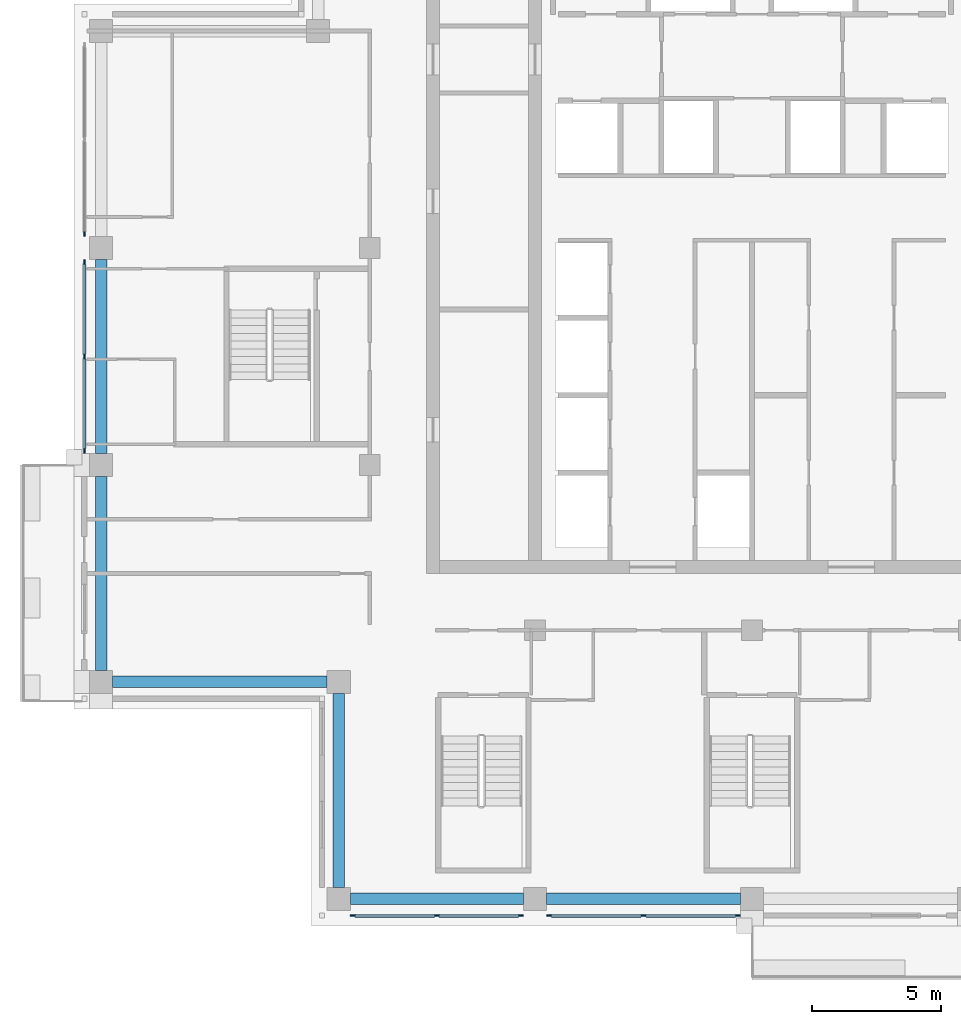
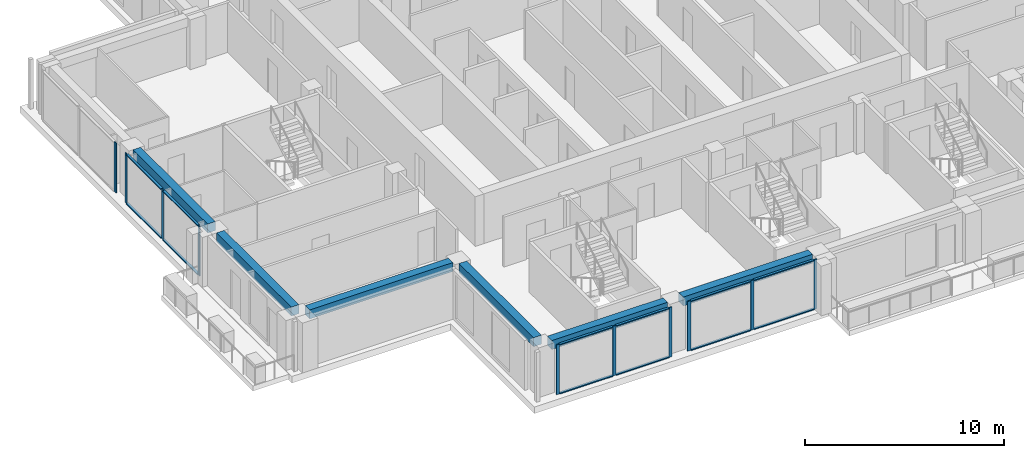
# One storey, part 2 of 17: 22 members, 6 beams, 4 elements without a shape of their own.
"""IFC4 building model written with IfcOpenShell, lengths in metres."""

from ifc_helpers import new_model, si_unit, direction, frame, origin, origin_2d, place, context, subcontext, project, spatial, rectangle, extrude, material, material_profile, profile_set, type_object, element, aggregate, save


model = new_model("IFC4")

# Units and contexts
model_context = context("Model", 3, precision=1e-05, world=origin(), true_north=direction((0.0, 1.0)))
body_context = subcontext(model_context, "Body", "Model", "MODEL_VIEW")
ifc_project = project(units=[si_unit("LENGTHUNIT", "METRE"), si_unit("AREAUNIT", "SQUARE_METRE"), si_unit("VOLUMEUNIT", "CUBIC_METRE"), si_unit("PLANEANGLEUNIT", "RADIAN"), si_unit("MASSUNIT", "GRAM", prefix="KILO")], contexts=[model_context])

# Site, building, storey
site_placement = place(None, origin())
site = spatial("IfcSite", under=ifc_project, at=site_placement, CompositionType="ELEMENT")
building_placement = place(site_placement, origin())
building = spatial("IfcBuilding", under=site, at=building_placement, Name="Vermilion Ogive Tower", CompositionType="ELEMENT")
storey_placement = place(building_placement, frame((0.0, 0.0, 257.949951171875)))
storey = spatial("IfcBuildingStorey", under=building, at=storey_placement, Name="L68", CompositionType="ELEMENT", Elevation=257.949951171875)

# Curtain wall, members
ifc_material_1 = material(Name="Low-iron laminated glazing in aluminium frame", Category="aluminium")
curtain_wall_type = type_object("IfcCurtainWallType", Name="Curtain wall CW7", PredefinedType="NOTDEFINED", material=ifc_material_1)
curtain_wall_1_placement = place(storey_placement, origin())
curtain_wall_1 = element("IfcCurtainWall", 1, at=curtain_wall_1_placement, inside=storey, type_object=curtain_wall_type, Name="Glazed skin S1", PredefinedType="NOTDEFINED")
ifc_material_2 = material(Name="Aluminium mullion", Category="aluminium")
ifc_material_profile_1 = material_profile(ifc_material_2, rectangle(XDim=0.06005859375, YDim=0.179931640625, at=origin_2d()), Name="AL 60x180")
ifc_profile_set_1 = profile_set([ifc_material_profile_1], Name="Aluminium mullion")
member_type_1 = type_object("IfcMemberType", Name="CW7 mullion 60x180", PredefinedType="MULLION", material=ifc_profile_set_1)
member_1_placement = place(storey_placement, frame((-15.4599609375, -21.64990234375, 0.0), z_axis=(0.0, 0.0, 1.0), x_axis=(0.0, 1.0, 0.0)))
member_1 = element("IfcMember", 2, at=member_1_placement, type_object=member_type_1, Name="CW7-S1 mullion 1", PredefinedType="MULLION", context=body_context, shape_type="SweptSolid", body=[
    extrude(rectangle(XDim=0.06005859375, YDim=0.179931640625, at=origin_2d()), origin(), (0.0, 0.0, 1.0), 3.050048828125),
])
member_2_placement = place(storey_placement, frame((-12.199951171875, -21.64990234375, 0.0), z_axis=(0.0, 0.0, 1.0), x_axis=(0.0, 1.0, 0.0)))
member_2 = element("IfcMember", 3, at=member_2_placement, type_object=member_type_1, Name="CW7-S1 mullion 2", PredefinedType="MULLION", context=body_context, shape_type="SweptSolid", body=[
    extrude(rectangle(XDim=0.06005859375, YDim=0.179931640625, at=origin_2d()), origin(), (0.0, 0.0, 1.0), 3.050048828125),
])
member_3_placement = place(storey_placement, frame((-8.93994140625, -21.64990234375, 0.0), z_axis=(0.0, 0.0, 1.0), x_axis=(0.0, 1.0, 0.0)))
member_3 = element("IfcMember", 4, at=member_3_placement, type_object=member_type_1, Name="CW7-S1 mullion 3", PredefinedType="MULLION", context=body_context, shape_type="SweptSolid", body=[
    extrude(rectangle(XDim=0.06005859375, YDim=0.179931640625, at=origin_2d()), origin(), (0.0, 0.0, 1.0), 3.050048828125),
])

curtain_wall_2_placement = place(storey_placement, origin())
curtain_wall_2 = element("IfcCurtainWall", 5, at=curtain_wall_2_placement, inside=storey, type_object=curtain_wall_type, Name="Glazed skin S2", PredefinedType="NOTDEFINED")
member_4_placement = place(storey_placement, frame((-7.860107421875, -21.64990234375, 0.0), z_axis=(0.0, 0.0, 1.0), x_axis=(0.0, 1.0, 0.0)))
member_4 = element("IfcMember", 6, at=member_4_placement, type_object=member_type_1, Name="CW7-S2 mullion 1", PredefinedType="MULLION", context=body_context, shape_type="SweptSolid", body=[
    extrude(rectangle(XDim=0.06005859375, YDim=0.179931640625, at=origin_2d()), origin(), (0.0, 0.0, 1.0), 3.050048828125),
])
member_5_placement = place(storey_placement, frame((-4.199951171875, -21.64990234375, 0.0), z_axis=(0.0, 0.0, 1.0), x_axis=(0.0, 1.0, 0.0)))
member_5 = element("IfcMember", 7, at=member_5_placement, type_object=member_type_1, Name="CW7-S2 mullion 2", PredefinedType="MULLION", context=body_context, shape_type="SweptSolid", body=[
    extrude(rectangle(XDim=0.06005859375, YDim=0.179931640625, at=origin_2d()), origin(), (0.0, 0.0, 1.0), 3.050048828125),
])
member_6_placement = place(storey_placement, frame((-0.5400390625, -21.64990234375, 0.0), z_axis=(0.0, 0.0, 1.0), x_axis=(0.0, 1.0, 0.0)))
member_6 = element("IfcMember", 8, at=member_6_placement, type_object=member_type_1, Name="CW7-S2 mullion 3", PredefinedType="MULLION", context=body_context, shape_type="SweptSolid", body=[
    extrude(rectangle(XDim=0.06005859375, YDim=0.179931640625, at=origin_2d()), origin(), (0.0, 0.0, 1.0), 3.050048828125),
])

# Curtain wall, member
curtain_wall_3_placement = place(storey_placement, origin())
curtain_wall_3 = element("IfcCurtainWall", 9, at=curtain_wall_3_placement, inside=storey, type_object=curtain_wall_type, Name="Glazed skin W1", PredefinedType="NOTDEFINED")
member_7_placement = place(storey_placement, frame((-25.85009765625, 4.739990234375, 0.0), z_axis=(0.0, 0.0, 1.0), x_axis=(1.0, 0.0, 0.0)))
member_7 = element("IfcMember", 10, at=member_7_placement, type_object=member_type_1, Name="CW7-W1 mullion 3", PredefinedType="MULLION", context=body_context, shape_type="SweptSolid", body=[
    extrude(rectangle(XDim=0.06005859375, YDim=0.179931640625, at=origin_2d()), origin(), (0.0, 0.0, 1.0), 3.050048828125),
])
aggregate(curtain_wall_3, [member_7])

# Curtain wall, members
curtain_wall_4_placement = place(storey_placement, origin())
curtain_wall_4 = element("IfcCurtainWall", 11, at=curtain_wall_4_placement, inside=storey, type_object=curtain_wall_type, Name="Glazed skin W2", PredefinedType="NOTDEFINED")
member_8_placement = place(storey_placement, frame((-25.85009765625, 3.659912109375, 0.0), z_axis=(0.0, 0.0, 1.0), x_axis=(1.0, 0.0, 0.0)))
member_8 = element("IfcMember", 12, at=member_8_placement, type_object=member_type_1, Name="CW7-W2 mullion 1", PredefinedType="MULLION", context=body_context, shape_type="SweptSolid", body=[
    extrude(rectangle(XDim=0.06005859375, YDim=0.179931640625, at=origin_2d()), origin(), (0.0, 0.0, 1.0), 3.050048828125),
])
member_9_placement = place(storey_placement, frame((-25.85009765625, 0.0, 0.0), z_axis=(0.0, 0.0, 1.0), x_axis=(1.0, 0.0, 0.0)))
member_9 = element("IfcMember", 13, at=member_9_placement, type_object=member_type_1, Name="CW7-W2 mullion 2", PredefinedType="MULLION", context=body_context, shape_type="SweptSolid", body=[
    extrude(rectangle(XDim=0.06005859375, YDim=0.179931640625, at=origin_2d()), origin(), (0.0, 0.0, 1.0), 3.050048828125),
])
member_10_placement = place(storey_placement, frame((-25.85009765625, -3.659912109375, 0.0), z_axis=(0.0, 0.0, 1.0), x_axis=(1.0, 0.0, 0.0)))
member_10 = element("IfcMember", 14, at=member_10_placement, type_object=member_type_1, Name="CW7-W2 mullion 3", PredefinedType="MULLION", context=body_context, shape_type="SweptSolid", body=[
    extrude(rectangle(XDim=0.06005859375, YDim=0.179931640625, at=origin_2d()), origin(), (0.0, 0.0, 1.0), 3.050048828125),
])

# Member
ifc_material_3 = material(Name="Aluminium transom", Category="aluminium")
ifc_material_profile_2 = material_profile(ifc_material_3, rectangle(XDim=0.139892578125, YDim=0.06005859375, at=origin_2d()), Name="AL 60x140")
ifc_profile_set_2 = profile_set([ifc_material_profile_2], Name="Aluminium transom")
member_type_2 = type_object("IfcMemberType", Name="CW7 transom 60x140", PredefinedType="USERDEFINED", material=ifc_profile_set_2)
member_11_placement = place(storey_placement, frame((-15.3701171875, -21.64990234375, 0.030029296875), z_axis=(1.0, 0.0, 0.0), x_axis=(0.0, 1.0, 0.0)))
member_11 = element("IfcMember", 15, at=member_11_placement, type_object=member_type_2, Name="CW7-S1 transom 1.1", ObjectType="TRANSOM", PredefinedType="USERDEFINED", context=body_context, shape_type="SweptSolid", body=[
    extrude(rectangle(XDim=0.139892578125, YDim=0.06005859375, at=origin_2d()), origin(), (0.0, 0.0, 1.0), 3.080078125),
])

member_12_placement = place(storey_placement, frame((-15.3701171875, -21.64990234375, 3.02001953125), z_axis=(1.0, 0.0, 0.0), x_axis=(0.0, 1.0, 0.0)))
member_12 = element("IfcMember", 16, at=member_12_placement, type_object=member_type_2, Name="CW7-S1 transom 1.2", ObjectType="TRANSOM", PredefinedType="USERDEFINED", context=body_context, shape_type="SweptSolid", body=[
    extrude(rectangle(XDim=0.139892578125, YDim=0.06005859375, at=origin_2d()), origin(), (0.0, 0.0, 1.0), 3.080078125),
])

member_13_placement = place(storey_placement, frame((-12.110107421875, -21.64990234375, 0.030029296875), z_axis=(1.0, 0.0, 0.0), x_axis=(0.0, 1.0, 0.0)))
member_13 = element("IfcMember", 17, at=member_13_placement, type_object=member_type_2, Name="CW7-S1 transom 2.1", ObjectType="TRANSOM", PredefinedType="USERDEFINED", context=body_context, shape_type="SweptSolid", body=[
    extrude(rectangle(XDim=0.139892578125, YDim=0.06005859375, at=origin_2d()), origin(), (0.0, 0.0, 1.0), 3.080078125),
])

member_14_placement = place(storey_placement, frame((-12.110107421875, -21.64990234375, 3.02001953125), z_axis=(1.0, 0.0, 0.0), x_axis=(0.0, 1.0, 0.0)))
member_14 = element("IfcMember", 18, at=member_14_placement, type_object=member_type_2, Name="CW7-S1 transom 2.2", ObjectType="TRANSOM", PredefinedType="USERDEFINED", context=body_context, shape_type="SweptSolid", body=[
    extrude(rectangle(XDim=0.139892578125, YDim=0.06005859375, at=origin_2d()), origin(), (0.0, 0.0, 1.0), 3.080078125),
])

aggregate(curtain_wall_1, [member_1, member_2, member_3, member_11, member_12, member_13, member_14])

member_15_placement = place(storey_placement, frame((-7.77001953125, -21.64990234375, 0.030029296875), z_axis=(1.0, 0.0, 0.0), x_axis=(0.0, 1.0, 0.0)))
member_15 = element("IfcMember", 19, at=member_15_placement, type_object=member_type_2, Name="CW7-S2 transom 1.1", ObjectType="TRANSOM", PredefinedType="USERDEFINED", context=body_context, shape_type="SweptSolid", body=[
    extrude(rectangle(XDim=0.139892578125, YDim=0.06005859375, at=origin_2d()), origin(), (0.0, 0.0, 1.0), 3.47998046875),
])

member_16_placement = place(storey_placement, frame((-7.77001953125, -21.64990234375, 3.02001953125), z_axis=(1.0, 0.0, 0.0), x_axis=(0.0, 1.0, 0.0)))
member_16 = element("IfcMember", 20, at=member_16_placement, type_object=member_type_2, Name="CW7-S2 transom 1.2", ObjectType="TRANSOM", PredefinedType="USERDEFINED", context=body_context, shape_type="SweptSolid", body=[
    extrude(rectangle(XDim=0.139892578125, YDim=0.06005859375, at=origin_2d()), origin(), (0.0, 0.0, 1.0), 3.47998046875),
])

member_17_placement = place(storey_placement, frame((-4.110107421875, -21.64990234375, 0.030029296875), z_axis=(1.0, 0.0, 0.0), x_axis=(0.0, 1.0, 0.0)))
member_17 = element("IfcMember", 21, at=member_17_placement, type_object=member_type_2, Name="CW7-S2 transom 2.1", ObjectType="TRANSOM", PredefinedType="USERDEFINED", context=body_context, shape_type="SweptSolid", body=[
    extrude(rectangle(XDim=0.139892578125, YDim=0.06005859375, at=origin_2d()), origin(), (0.0, 0.0, 1.0), 3.480224609375),
])

member_18_placement = place(storey_placement, frame((-4.110107421875, -21.64990234375, 3.02001953125), z_axis=(1.0, 0.0, 0.0), x_axis=(0.0, 1.0, 0.0)))
member_18 = element("IfcMember", 22, at=member_18_placement, type_object=member_type_2, Name="CW7-S2 transom 2.2", ObjectType="TRANSOM", PredefinedType="USERDEFINED", context=body_context, shape_type="SweptSolid", body=[
    extrude(rectangle(XDim=0.139892578125, YDim=0.06005859375, at=origin_2d()), origin(), (0.0, 0.0, 1.0), 3.480224609375),
])

aggregate(curtain_wall_2, [member_4, member_5, member_6, member_15, member_16, member_17, member_18])

member_19_placement = place(storey_placement, frame((-25.85009765625, 3.570068359375, 0.030029296875), z_axis=(0.0, -1.0, 0.0), x_axis=(1.0, 0.0, 0.0)))
member_19 = element("IfcMember", 23, at=member_19_placement, type_object=member_type_2, Name="CW7-W2 transom 1.1", ObjectType="TRANSOM", PredefinedType="USERDEFINED", context=body_context, shape_type="SweptSolid", body=[
    extrude(rectangle(XDim=0.139892578125, YDim=0.06005859375, at=origin_2d()), origin(), (0.0, 0.0, 1.0), 3.47998046875),
])

member_20_placement = place(storey_placement, frame((-25.85009765625, 3.570068359375, 3.02001953125), z_axis=(0.0, -1.0, 0.0), x_axis=(1.0, 0.0, 0.0)))
member_20 = element("IfcMember", 24, at=member_20_placement, type_object=member_type_2, Name="CW7-W2 transom 1.2", ObjectType="TRANSOM", PredefinedType="USERDEFINED", context=body_context, shape_type="SweptSolid", body=[
    extrude(rectangle(XDim=0.139892578125, YDim=0.06005859375, at=origin_2d()), origin(), (0.0, 0.0, 1.0), 3.47998046875),
])

member_21_placement = place(storey_placement, frame((-25.85009765625, -0.090087890625, 0.030029296875), z_axis=(0.0, -1.0, 0.0), x_axis=(1.0, 0.0, 0.0)))
member_21 = element("IfcMember", 25, at=member_21_placement, type_object=member_type_2, Name="CW7-W2 transom 2.1", ObjectType="TRANSOM", PredefinedType="USERDEFINED", context=body_context, shape_type="SweptSolid", body=[
    extrude(rectangle(XDim=0.139892578125, YDim=0.06005859375, at=origin_2d()), origin(), (0.0, 0.0, 1.0), 3.47998046875),
])

member_22_placement = place(storey_placement, frame((-25.85009765625, -0.090087890625, 3.02001953125), z_axis=(0.0, -1.0, 0.0), x_axis=(1.0, 0.0, 0.0)))
member_22 = element("IfcMember", 26, at=member_22_placement, type_object=member_type_2, Name="CW7-W2 transom 2.2", ObjectType="TRANSOM", PredefinedType="USERDEFINED", context=body_context, shape_type="SweptSolid", body=[
    extrude(rectangle(XDim=0.139892578125, YDim=0.06005859375, at=origin_2d()), origin(), (0.0, 0.0, 1.0), 3.47998046875),
])

aggregate(curtain_wall_4, [member_8, member_9, member_10, member_19, member_20, member_21, member_22])

# Beams
ifc_material_4 = material(Name="Concrete B45", Category="concrete")
ifc_material_profile_3 = material_profile(ifc_material_4, rectangle(XDim=0.449951171875, YDim=0.550048828125, at=origin_2d()), Name="450 x 550")
ifc_profile_set_3 = profile_set([ifc_material_profile_3], Name="Concrete B45")
beam_type = type_object("IfcBeamType", Name="Edge beam 450 x 550 B45", PredefinedType="BEAM", material=ifc_profile_set_3)
beam_1_placement = place(storey_placement, frame((-15.550048828125, -21.0, 2.775146484375), z_axis=(1.0, 0.0, 0.0), x_axis=(0.0, 1.0, 0.0)))
element("IfcBeam", 27, at=beam_1_placement, inside=storey, type_object=beam_type, Name="L68-EB-1", PredefinedType="BEAM", context=body_context, shape_type="SweptSolid", body=[
    extrude(rectangle(XDim=0.449951171875, YDim=0.550048828125, at=origin_2d()), origin(), (0.0, 0.0, 1.0), 6.699951171875),
])
for number, where, z_axis, x_axis, name in (
    (28, (-7.949951171875, -21.0, 2.775146484375), (1.0, 0.0, 0.0), (0.0, 1.0, 0.0), "L68-EB-2"),
    (29, (-25.199951171875, 3.75, 2.775146484375), (0.0, -1.0, 0.0), (1.0, 0.0, 0.0), "L68-EB-15"),
    (30, (-25.199951171875, -4.64990234375, 2.775146484375), (0.0, -1.0, 0.0), (1.0, 0.0, 0.0), "L68-EB-16"),
):
    element("IfcBeam", number, at=place(storey_placement, frame(where, z_axis=z_axis, x_axis=x_axis)), inside=storey, type_object=beam_type, Name=name, PredefinedType="BEAM", context=body_context, shape_type="SweptSolid", body=[
        extrude(rectangle(XDim=0.449951171875, YDim=0.550048828125, at=origin_2d()), origin(), (0.0, 0.0, 1.0), 7.5),
    ])
beam_2_placement = place(storey_placement, frame((-24.75, -12.60009765625, 2.775146484375), z_axis=(1.0, 0.0, 0.0), x_axis=(0.0, 1.0, 0.0)))
element("IfcBeam", 31, at=beam_2_placement, inside=storey, type_object=beam_type, Name="L68-EB-17", PredefinedType="BEAM", context=body_context, shape_type="SweptSolid", body=[
    extrude(rectangle(XDim=0.449951171875, YDim=0.550048828125, at=origin_2d()), origin(), (0.0, 0.0, 1.0), 8.300048828125),
])
beam_3_placement = place(storey_placement, frame((-16.0, -13.050048828125, 2.775146484375), z_axis=(0.0, -1.0, 0.0), x_axis=(1.0, 0.0, 0.0)))
element("IfcBeam", 32, at=beam_3_placement, inside=storey, type_object=beam_type, Name="L68-EB-18", PredefinedType="BEAM", context=body_context, shape_type="SweptSolid", body=[
    extrude(rectangle(XDim=0.449951171875, YDim=0.550048828125, at=origin_2d()), origin(), (0.0, 0.0, 1.0), 7.5),
])

save(model, "model.ifc")
